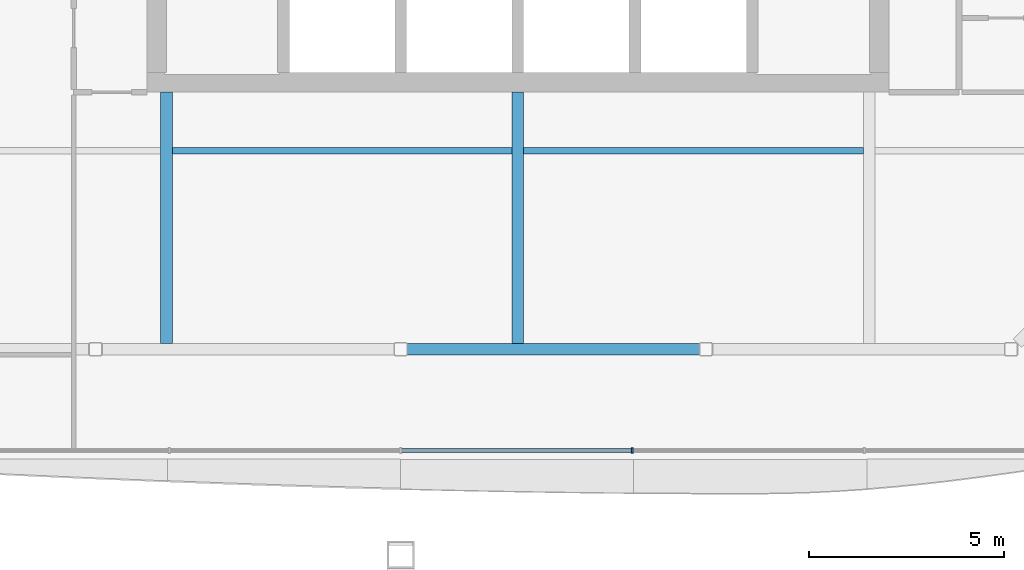
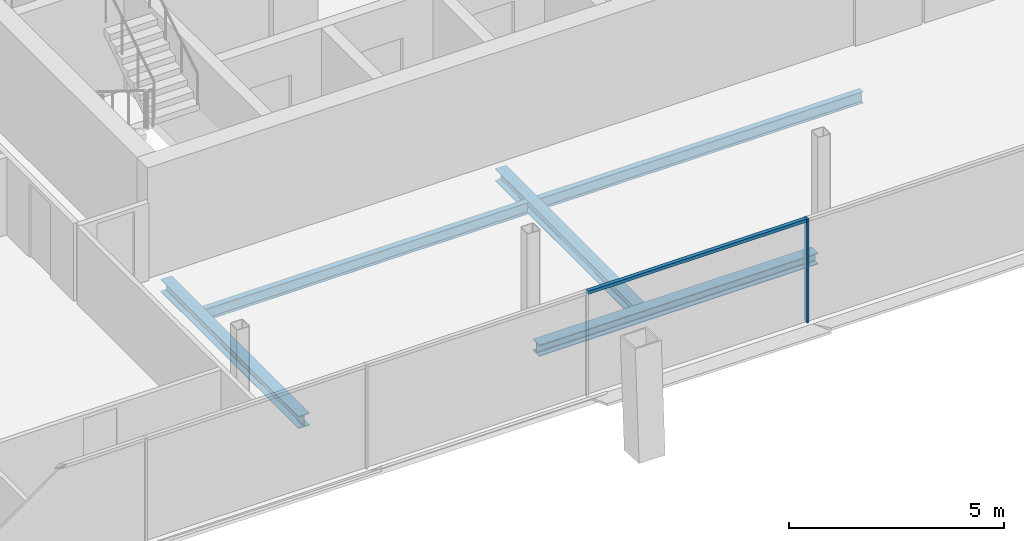
# One storey, part 5 of 20: 5 beams, 2 members, 1 element without a shape of its own.
"""IFC4 building model written with IfcOpenShell, lengths in metres."""

from ifc_helpers import new_model, si_unit, direction, frame, origin, origin_2d, place, context, subcontext, project, spatial, rectangle, i_section, extrude, material, material_profile, profile_set, type_object, element, aggregate, save


model = new_model("IFC4")

# Units and contexts
model_context = context("Model", 3, precision=1e-05, world=origin(), true_north=direction((0.0, 1.0)))
body_context = subcontext(model_context, "Body", "Model", "MODEL_VIEW")
ifc_project = project(units=[si_unit("LENGTHUNIT", "METRE"), si_unit("AREAUNIT", "SQUARE_METRE"), si_unit("VOLUMEUNIT", "CUBIC_METRE"), si_unit("PLANEANGLEUNIT", "RADIAN"), si_unit("MASSUNIT", "GRAM", prefix="KILO")], contexts=[model_context])

# Site, building, storey
site_placement = place(None, origin())
site = spatial("IfcSite", under=ifc_project, at=site_placement, CompositionType="ELEMENT")
building_placement = place(site_placement, origin())
building = spatial("IfcBuilding", under=site, at=building_placement, Name="Tskaro Facet Tower", CompositionType="ELEMENT")
storey_placement = place(building_placement, frame((0.0, 0.0, 178.5)))
storey = spatial("IfcBuildingStorey", under=building, at=storey_placement, Name="L44", CompositionType="ELEMENT", Elevation=178.5)

# Curtain wall, members
ifc_material_1 = material(Name="Bronze anodised aluminium 6063-T6", Category="aluminium")
curtain_wall_type = type_object("IfcCurtainWallType", Name="Bronze residence curtain wall (FW3)", PredefinedType="NOTDEFINED", material=ifc_material_1)
curtain_wall_placement = place(storey_placement, origin())
curtain_wall = element("IfcCurtainWall", 1, at=curtain_wall_placement, inside=storey, type_object=curtain_wall_type, Name="FW3 south facet L44", PredefinedType="NOTDEFINED")
ifc_material_profile_1 = material_profile(ifc_material_1, rectangle(XDim=0.050048828125, YDim=0.139892578125, at=origin_2d()), Name="Mullion 50x140")
ifc_profile_set_1 = profile_set([ifc_material_profile_1], Name="Bronze anodised aluminium 6063-T6")
member_type_1 = type_object("IfcMemberType", Name="FW3 bronze mullion 50x140", PredefinedType="MULLION", material=ifc_profile_set_1)
member_1_placement = place(storey_placement, frame((2.933349609375, -21.176025390625, 0.0), z_axis=(0.0, 0.0, 1.0), x_axis=(1.0, 0.0, 0.0)))
member_1 = element("IfcMember", 2, at=member_1_placement, type_object=member_type_1, Name="FW3 south mullion 4", PredefinedType="MULLION", context=body_context, shape_type="SweptSolid", body=[
    extrude(rectangle(XDim=0.050048828125, YDim=0.139892578125, at=origin_2d()), origin(), (0.0, 0.0, 1.0), 2.949951171875),
])
ifc_material_profile_2 = material_profile(ifc_material_1, rectangle(XDim=0.10009765625, YDim=0.090087890625, at=origin_2d()), Name="Transom 100x90")
ifc_profile_set_2 = profile_set([ifc_material_profile_2], Name="Bronze anodised aluminium 6063-T6")
member_type_2 = type_object("IfcMemberType", Name="FW3 bronze transom 100x90", PredefinedType="USERDEFINED", material=ifc_profile_set_2)
member_2_placement = place(storey_placement, frame((-2.97509765625, -21.176025390625, 2.905029296875), z_axis=(1.0, 0.0, 0.0), x_axis=(0.0, 1.0, 0.0)))
member_2 = element("IfcMember", 3, at=member_2_placement, type_object=member_type_2, Name="FW3 south transom 4.1", ObjectType="TRANSOM", PredefinedType="USERDEFINED", context=body_context, shape_type="SweptSolid", body=[
    extrude(rectangle(XDim=0.10009765625, YDim=0.090087890625, at=origin_2d()), origin(), (0.0, 0.0, 1.0), 5.883544921875),
])
aggregate(curtain_wall, [member_1, member_2])

# Beams
ifc_material_2 = material(Name="Steel S355J2", Category="steel")
ifc_material_profile_3 = material_profile(ifc_material_2, i_section(OverallWidth=0.300048828125, OverallDepth=0.320068359375, WebThickness=0.011474609375, FlangeThickness=0.0205078125, FilletRadius=0.027099609375, at=origin_2d()), Name="HE 320 B")
ifc_profile_set_3 = profile_set([ifc_material_profile_3], Name="Steel S355J2")
beam_type_1 = type_object("IfcBeamType", Name="HE 320 B ring beam", PredefinedType="BEAM", material=ifc_profile_set_3)
beam_placement = place(storey_placement, frame((-2.844970703125, -18.5830078125, -0.300048828125), z_axis=(1.0, 0.0, 0.0), x_axis=(0.0, 1.0, 0.0)))
element("IfcBeam", 4, at=beam_placement, inside=storey, type_object=beam_type_1, Name="HE 320 B EB3-4", PredefinedType="BEAM", context=body_context, shape_type="SweptSolid", body=[
    extrude(i_section(OverallWidth=0.300048828125, OverallDepth=0.320068359375, WebThickness=0.011474609375, FlangeThickness=0.0205078125, FilletRadius=0.027099609375, at=origin_2d()), origin(), (0.0, 0.0, 1.0), 7.507080078125),
])
ifc_material_profile_4 = material_profile(ifc_material_2, i_section(OverallWidth=0.300048828125, OverallDepth=0.35009765625, WebThickness=0.010009765625, FlangeThickness=0.017578125, FilletRadius=0.027099609375, at=origin_2d()), Name="HE 360 A")
ifc_profile_set_4 = profile_set([ifc_material_profile_4], Name="Steel S355J2")
beam_type_2 = type_object("IfcBeamType", Name="HE 360 A girder", PredefinedType="BEAM", material=ifc_profile_set_4)
for number, where, z_axis, x_axis, name in (
    (5, (-9.0, -18.43310546875, -0.31494140625), (0.0, 1.0, 0.0), (-1.0, 0.0, 0.0), "HE 360 A GB3-1-4"),
    (6, (0.0, -18.43310546875, -0.31494140625), (0.0, 1.0, 0.0), (-1.0, 0.0, 0.0), "HE 360 A GB4-1-4"),
):
    element("IfcBeam", number, at=place(storey_placement, frame(where, z_axis=z_axis, x_axis=x_axis)), inside=storey, type_object=beam_type_2, Name=name, PredefinedType="BEAM", context=body_context, shape_type="SweptSolid", body=[
        extrude(i_section(OverallWidth=0.300048828125, OverallDepth=0.35009765625, WebThickness=0.010009765625, FlangeThickness=0.017578125, FilletRadius=0.027099609375, at=origin_2d()), origin(), (0.0, 0.0, 1.0), 6.43310546875),
    ])
ifc_material_profile_5 = material_profile(ifc_material_2, i_section(OverallWidth=0.159912109375, OverallDepth=0.330078125, WebThickness=0.007568359375, FlangeThickness=0.011474609375, FilletRadius=0.01806640625, at=origin_2d()), Name="IPE 330")
ifc_profile_set_5 = profile_set([ifc_material_profile_5], Name="Steel S355J2")
beam_type_3 = type_object("IfcBeamType", Name="IPE 330 secondary beam", PredefinedType="BEAM", material=ifc_profile_set_5)
for number, where, z_axis, x_axis, name in (
    (7, (-8.85009765625, -13.5, -0.304931640625), (1.0, 0.0, 0.0), (0.0, 1.0, 0.0), "IPE 330 SB2a-3-4"),
    (8, (0.14990234375, -13.5, -0.304931640625), (1.0, 0.0, 0.0), (0.0, 1.0, 0.0), "IPE 330 SB2a-4-4"),
):
    element("IfcBeam", number, at=place(storey_placement, frame(where, z_axis=z_axis, x_axis=x_axis)), inside=storey, type_object=beam_type_3, Name=name, PredefinedType="BEAM", context=body_context, shape_type="SweptSolid", body=[
        extrude(i_section(OverallWidth=0.159912109375, OverallDepth=0.330078125, WebThickness=0.007568359375, FlangeThickness=0.011474609375, FilletRadius=0.01806640625, at=origin_2d()), origin(), (0.0, 0.0, 1.0), 8.7001953125),
    ])

save(model, "model.ifc")
